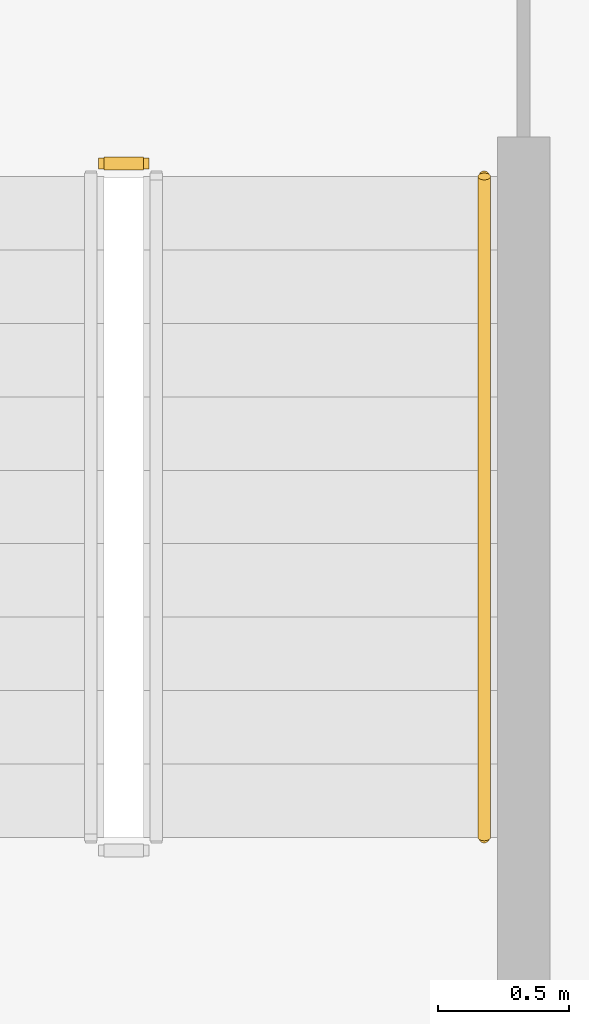
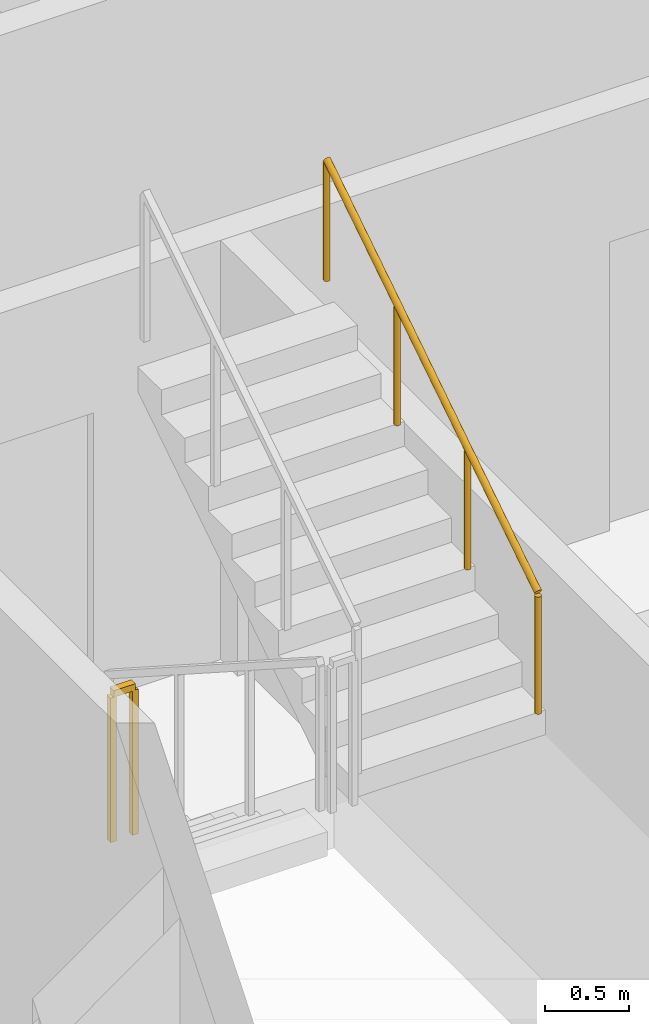
# One storey, part 15 of 18: 2 railings.
"""IFC4 building model written with IfcOpenShell, lengths in metres."""

from ifc_helpers import new_model, si_unit, direction, frame, origin, origin_2d, place, context, subcontext, project, spatial, rectangle, circle, extrude, material, type_object, element, save


model = new_model("IFC4")

# Units and contexts
model_context = context("Model", 3, precision=1e-05, world=origin(), true_north=direction((0.0, 1.0)))
body_context = subcontext(model_context, "Body", "Model", "MODEL_VIEW")
ifc_project = project(units=[si_unit("LENGTHUNIT", "METRE"), si_unit("AREAUNIT", "SQUARE_METRE"), si_unit("VOLUMEUNIT", "CUBIC_METRE"), si_unit("PLANEANGLEUNIT", "RADIAN"), si_unit("MASSUNIT", "GRAM", prefix="KILO")], contexts=[model_context])

# Site, building, storey
site_placement = place(None, origin())
site = spatial("IfcSite", under=ifc_project, at=site_placement, CompositionType="ELEMENT")
building_placement = place(site_placement, origin())
building = spatial("IfcBuilding", under=site, at=building_placement, Name="Mangrove Gate Tower", CompositionType="ELEMENT")
storey_placement = place(building_placement, frame((0.0, 0.0, 290.699951171875)))
storey = spatial("IfcBuildingStorey", under=building, at=storey_placement, Name="L74", CompositionType="ELEMENT", Elevation=290.699951171875)

# Railings
ifc_material_1 = material(Name="Stainless steel 316", Category="steel")
railing_type_1 = type_object("IfcRailingType", Name="Core stair guard 1100", PredefinedType="GUARDRAIL", material=ifc_material_1)
railing_1_placement = place(storey_placement, frame((-0.10009765625, -4.60009765625, 0.0)))
element("IfcRailing", 1, at=railing_1_placement, inside=storey, type_object=railing_type_1, Name="L74 ST2 stair guard 4", PredefinedType="GUARDRAIL", context=body_context, shape_type="SweptSolid", body=[
    extrude(rectangle(XDim=0.048095703125, YDim=0.048095703125, at=origin_2d()), frame((0.0, 0.0, 1.076171875), z_axis=(1.0, 0.0, 0.0), x_axis=(0.0, 1.0, 0.0)), (0.0, 0.0, 1.0), 0.150146484375),
    extrude(rectangle(XDim=0.0419921875, YDim=0.0419921875, at=origin_2d()), origin(), (0.0, 0.0, 1.0), 1.052001953125),
    extrude(rectangle(XDim=0.0419921875, YDim=0.0419921875, at=origin_2d()), frame((0.150146484375, 0.0, 0.0)), (0.0, 0.0, 1.0), 1.052001953125),
])
ifc_material_2 = material(Name="Stainless steel 316", Category="steel")
railing_type_2 = type_object("IfcRailingType", Name="Core stair handrail 900", PredefinedType="HANDRAIL", material=ifc_material_2)
railing_2_placement = place(storey_placement, frame((1.35009765625, -7.169921875, 1.97998046875)))
element("IfcRailing", 2, at=railing_2_placement, inside=storey, type_object=railing_type_2, Name="L74 ST2 stair handrail 2", PredefinedType="HANDRAIL", context=body_context, shape_type="SweptSolid", body=[
    extrude(circle(Radius=0.02392578125, at=origin_2d()), frame((0.0, 0.0, 0.8759765625), z_axis=(0.0, 0.841162588446, 0.540782303519), x_axis=(-1.0, 0.0, 0.0)), (0.0, 0.0, 1.0), 2.995849609375),
    extrude(circle(Radius=0.02099609375, at=origin_2d()), origin(), (0.0, 0.0, 1.0), 0.851806640625),
    extrude(circle(Radius=0.02099609375, at=origin_2d()), frame((0.0, 0.840087890625, 0.5400390625)), (0.0, 0.0, 1.0), 0.851806640625),
    extrude(circle(Radius=0.02099609375, at=origin_2d()), frame((0.0, 1.679931640625, 1.080078125)), (0.0, 0.0, 1.0), 0.851806640625),
    extrude(circle(Radius=0.02099609375, at=origin_2d()), frame((0.0, 2.52001953125, 1.6201171875)), (0.0, 0.0, 1.0), 0.851806640625),
])

save(model, "model.ifc")
